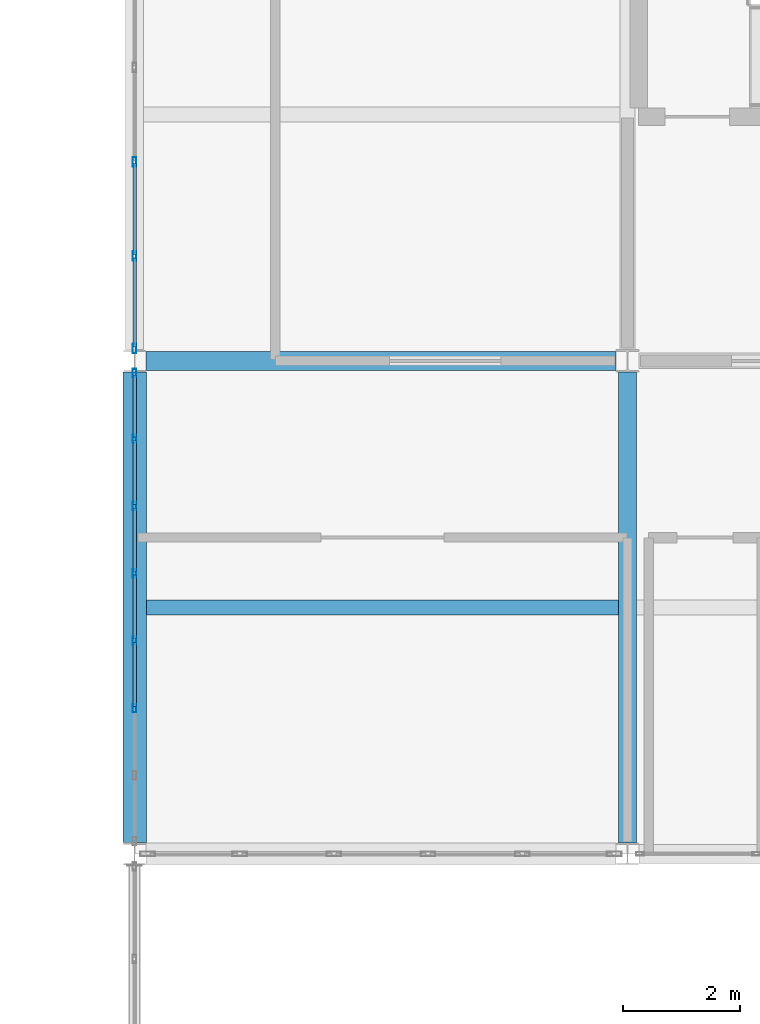
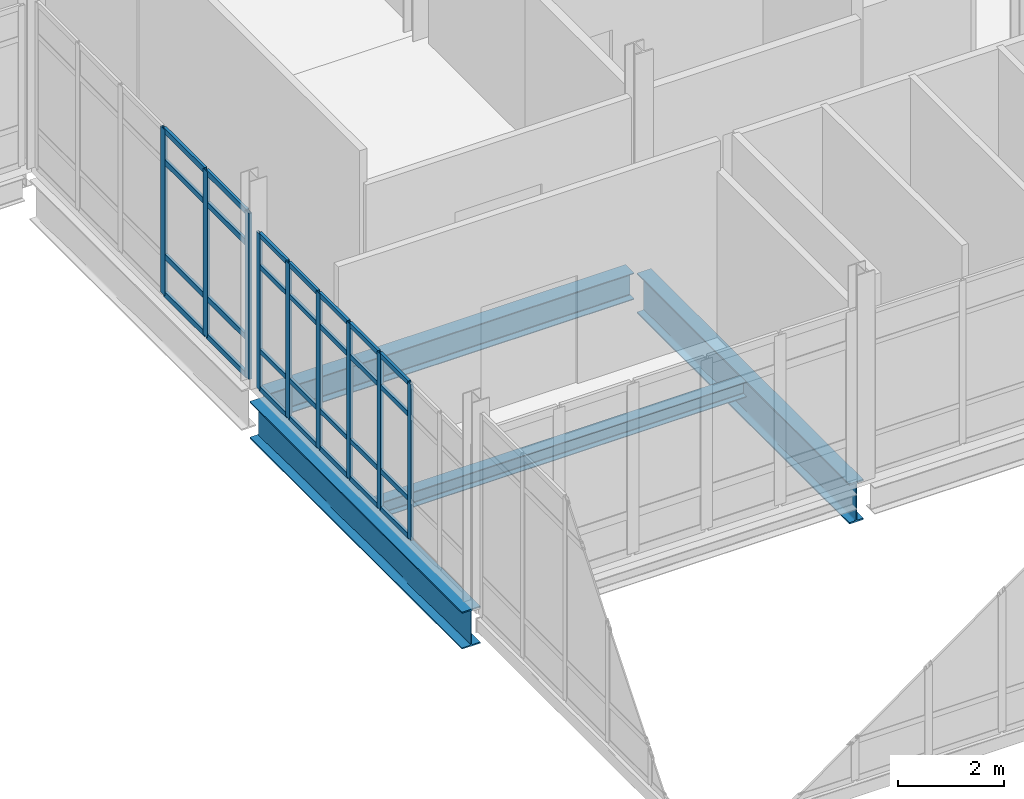
# One storey, part 30 of 186: 37 members, 4 beams, 2 elements without a shape of their own.
"""IFC4 building model written with IfcOpenShell, lengths in metres."""

from ifc_helpers import new_model, si_unit, direction, frame, origin, origin_2d, place, context, subcontext, project, spatial, hollow_rectangle, i_section, extrude, material, layer, layer_set, material_profile, profile_set, type_object, element, aggregate, save


model = new_model("IFC4")

# Units and contexts
model_context = context("Model", 3, precision=1e-05, world=origin(), true_north=direction((0.0, 1.0)))
body_context = subcontext(model_context, "Body", "Model", "MODEL_VIEW")
ifc_project = project(units=[si_unit("LENGTHUNIT", "METRE"), si_unit("AREAUNIT", "SQUARE_METRE"), si_unit("VOLUMEUNIT", "CUBIC_METRE"), si_unit("PLANEANGLEUNIT", "RADIAN"), si_unit("MASSUNIT", "GRAM", prefix="KILO")], contexts=[model_context])

# Site, building, storey
site_placement = place(None, origin())
site = spatial("IfcSite", under=ifc_project, at=site_placement, CompositionType="ELEMENT")
building_placement = place(site_placement, origin())
building = spatial("IfcBuilding", under=site, at=building_placement, Name="Calvrana Isthmian Art Gallery", CompositionType="ELEMENT")
storey_placement = place(building_placement, frame((0.0, 0.0, 5.39990234375)))
storey = spatial("IfcBuildingStorey", under=building, at=storey_placement, Name="L01", CompositionType="ELEMENT", Elevation=5.39990234375)

# Beams
ifc_material_1 = material(Name="Steel ASTM A992 Gr 50", Category="steel")
ifc_material_profile_1 = material_profile(ifc_material_1, i_section(OverallWidth=0.324951171875, OverallDepth=0.612060546875, WebThickness=0.0126953125, FlangeThickness=0.01904296875, FilletRadius=0.02197265625, at=origin_2d()), Name="W24X104")
ifc_profile_set_1 = profile_set([ifc_material_profile_1], Name="Steel ASTM A992 Gr 50")
beam_type_1 = type_object("IfcBeamType", Name="BM-G-W24X104", PredefinedType="BEAM", material=ifc_profile_set_1)
beam_1_placement = place(storey_placement, frame((21.799560546875, 38.39990234375, -0.55078125), z_axis=(1.0, 0.0, 0.0), x_axis=(0.0, 1.0, 0.0)))
element("IfcBeam", 1, at=beam_1_placement, inside=storey, type_object=beam_type_1, Name="Girder X L01 04-05/F", PredefinedType="BEAM", context=body_context, shape_type="SweptSolid", body=[
    extrude(i_section(OverallWidth=0.324951171875, OverallDepth=0.612060546875, WebThickness=0.0126953125, FlangeThickness=0.01904296875, FilletRadius=0.02197265625, at=origin_2d()), origin(), (0.0, 0.0, 1.0), 8.00244140625),
])
ifc_material_profile_2 = material_profile(ifc_material_1, i_section(OverallWidth=0.40087890625, OverallDepth=0.85595703125, WebThickness=0.018310546875, FlangeThickness=0.029296875, FilletRadius=0.02587890625, at=origin_2d()), Name="W33X201")
ifc_profile_set_2 = profile_set([ifc_material_profile_2], Name="Steel ASTM A992 Gr 50")
beam_type_2 = type_object("IfcBeamType", Name="BM-G-W33X201", PredefinedType="BEAM", material=ifc_profile_set_2)
beam_2_placement = place(storey_placement, frame((21.60009765625, 30.1904296875, -0.6728515625), z_axis=(0.0, 1.0, 0.0), x_axis=(-1.0, 0.0, 0.0)))
element("IfcBeam", 2, at=beam_2_placement, inside=storey, type_object=beam_type_2, Name="Girder Y L01 04/E-F", PredefinedType="BEAM", context=body_context, shape_type="SweptSolid", body=[
    extrude(i_section(OverallWidth=0.40087890625, OverallDepth=0.85595703125, WebThickness=0.018310546875, FlangeThickness=0.029296875, FilletRadius=0.02587890625, at=origin_2d()), origin(), (0.0, 0.0, 1.0), 8.0166015625),
])
ifc_material_profile_3 = material_profile(ifc_material_1, i_section(OverallWidth=0.306884765625, OverallDepth=0.927001953125, WebThickness=0.019287109375, FlangeThickness=0.031982421875, FilletRadius=0.028076171875, at=origin_2d()), Name="W36X194")
ifc_profile_set_3 = profile_set([ifc_material_profile_3], Name="Steel ASTM A992 Gr 50")
beam_type_3 = type_object("IfcBeamType", Name="BM-G-W36X194", PredefinedType="BEAM", material=ifc_profile_set_3)
beam_3_placement = place(storey_placement, frame((30.0, 30.18798828125, -0.70849609375), z_axis=(0.0, 1.0, 0.0), x_axis=(-1.0, 0.0, 0.0)))
element("IfcBeam", 3, at=beam_3_placement, inside=storey, type_object=beam_type_3, Name="Girder Y L01 05/E-F", PredefinedType="BEAM", context=body_context, shape_type="SweptSolid", body=[
    extrude(i_section(OverallWidth=0.306884765625, OverallDepth=0.927001953125, WebThickness=0.019287109375, FlangeThickness=0.031982421875, FilletRadius=0.028076171875, at=origin_2d()), origin(), (0.0, 0.0, 1.0), 8.021484375),
])
ifc_material_profile_4 = material_profile(ifc_material_1, i_section(OverallWidth=0.25390625, OverallDepth=0.35302734375, WebThickness=0.009521484375, FlangeThickness=0.016357421875, FilletRadius=0.01806640625, at=origin_2d()), Name="W14X61")
ifc_profile_set_4 = profile_set([ifc_material_profile_4], Name="Steel ASTM A992 Gr 50")
beam_type_4 = type_object("IfcBeamType", Name="BM-J-W14X61", PredefinedType="JOIST", material=ifc_profile_set_4)
beam_4_placement = place(storey_placement, frame((21.800537109375, 34.199951171875, -0.42138671875), z_axis=(1.0, 0.0, 0.0), x_axis=(0.0, 1.0, 0.0)))
element("IfcBeam", 4, at=beam_4_placement, inside=storey, type_object=beam_type_4, Name="Composite joist L01 bay 03-04", PredefinedType="JOIST", context=body_context, shape_type="SweptSolid", body=[
    extrude(i_section(OverallWidth=0.25390625, OverallDepth=0.35302734375, WebThickness=0.009521484375, FlangeThickness=0.016357421875, FilletRadius=0.01806640625, at=origin_2d()), origin(), (0.0, 0.0, 1.0), 8.0458984375),
])

# Curtain wall, members
ifc_material_2 = material(Name="Anodized bronze aluminium 6063-T6", Category="aluminium")
ifc_layer_1 = layer(ifc_material_2, 0.179931640625, Name="Anodized bronze aluminium 6063-T6")
ifc_layer_set_1 = layer_set([ifc_layer_1], Name="Anodized bronze aluminium 6063-T6")
curtain_wall_type_1 = type_object("IfcCurtainWallType", Name="CW-UNIT-080X36", PredefinedType="USERDEFINED", material=ifc_layer_set_1)
curtain_wall_1_placement = place(storey_placement, origin())
curtain_wall_1 = element("IfcCurtainWall", 5, at=curtain_wall_1_placement, inside=storey, type_object=curtain_wall_type_1, Name="Curtain wall CW-120", ObjectType="UNITISED CURTAIN WALL", PredefinedType="USERDEFINED")
ifc_material_profile_5 = material_profile(ifc_material_2, hollow_rectangle(XDim=0.06005859375, YDim=0.139892578125, WallThickness=0.00390625, at=origin_2d()), Name="CWM60X140")
ifc_profile_set_5 = profile_set([ifc_material_profile_5], Name="Anodized bronze aluminium 6063-T6")
member_type_1 = type_object("IfcMemberType", Name="CWM-CWM60X140", PredefinedType="MULLION", material=ifc_profile_set_5)
member_1_placement = place(storey_placement, frame((21.60009765625, 32.482421875, 0.0), z_axis=(0.0, 0.0, 1.0), x_axis=(-1.0, 0.0, 0.0)))
member_1 = element("IfcMember", 6, at=member_1_placement, type_object=member_type_1, Name="CW-120 mullion 3", PredefinedType="MULLION", context=body_context, shape_type="SweptSolid", body=[
    extrude(hollow_rectangle(XDim=0.06005859375, YDim=0.139892578125, WallThickness=0.00390625, at=origin_2d()), origin(), (0.0, 0.0, 1.0), 3.593017578125),
])
member_2_placement = place(storey_placement, frame((21.60009765625, 33.63037109375, 0.0), z_axis=(0.0, 0.0, 1.0), x_axis=(-1.0, 0.0, 0.0)))
member_2 = element("IfcMember", 7, at=member_2_placement, type_object=member_type_1, Name="CW-120 mullion 4", PredefinedType="MULLION", context=body_context, shape_type="SweptSolid", body=[
    extrude(hollow_rectangle(XDim=0.06005859375, YDim=0.139892578125, WallThickness=0.00390625, at=origin_2d()), origin(), (0.0, 0.0, 1.0), 3.593017578125),
])
member_3_placement = place(storey_placement, frame((21.60009765625, 34.7783203125, 0.0), z_axis=(0.0, 0.0, 1.0), x_axis=(-1.0, 0.0, 0.0)))
member_3 = element("IfcMember", 8, at=member_3_placement, type_object=member_type_1, Name="CW-120 mullion 5", PredefinedType="MULLION", context=body_context, shape_type="SweptSolid", body=[
    extrude(hollow_rectangle(XDim=0.06005859375, YDim=0.139892578125, WallThickness=0.00390625, at=origin_2d()), origin(), (0.0, 0.0, 1.0), 3.593017578125),
])
member_4_placement = place(storey_placement, frame((21.60009765625, 35.926025390625, 0.0), z_axis=(0.0, 0.0, 1.0), x_axis=(-1.0, 0.0, 0.0)))
member_4 = element("IfcMember", 9, at=member_4_placement, type_object=member_type_1, Name="CW-120 mullion 6", PredefinedType="MULLION", context=body_context, shape_type="SweptSolid", body=[
    extrude(hollow_rectangle(XDim=0.06005859375, YDim=0.139892578125, WallThickness=0.00390625, at=origin_2d()), origin(), (0.0, 0.0, 1.0), 3.593017578125),
])
member_5_placement = place(storey_placement, frame((21.60009765625, 37.073974609375, 0.0), z_axis=(0.0, 0.0, 1.0), x_axis=(-1.0, 0.0, 0.0)))
member_5 = element("IfcMember", 10, at=member_5_placement, type_object=member_type_1, Name="CW-120 mullion 7", PredefinedType="MULLION", context=body_context, shape_type="SweptSolid", body=[
    extrude(hollow_rectangle(XDim=0.06005859375, YDim=0.139892578125, WallThickness=0.00390625, at=origin_2d()), origin(), (0.0, 0.0, 1.0), 3.593017578125),
])
member_6_placement = place(storey_placement, frame((21.60009765625, 38.19189453125, 0.0), z_axis=(0.0, 0.0, 1.0), x_axis=(-1.0, 0.0, 0.0)))
member_6 = element("IfcMember", 11, at=member_6_placement, type_object=member_type_1, Name="CW-120 mullion 8", PredefinedType="MULLION", context=body_context, shape_type="SweptSolid", body=[
    extrude(hollow_rectangle(XDim=0.06005859375, YDim=0.139892578125, WallThickness=0.00390625, at=origin_2d()), origin(), (0.0, 0.0, 1.0), 3.593017578125),
])

ifc_layer_2 = layer(ifc_material_2, 0.179931640625, Name="Anodized bronze aluminium 6063-T6")
ifc_layer_set_2 = layer_set([ifc_layer_2], Name="Anodized bronze aluminium 6063-T6")
curtain_wall_type_2 = type_object("IfcCurtainWallType", Name="CW-UNIT-080X38", PredefinedType="USERDEFINED", material=ifc_layer_set_2)
curtain_wall_2_placement = place(storey_placement, origin())
curtain_wall_2 = element("IfcCurtainWall", 12, at=curtain_wall_2_placement, inside=storey, type_object=curtain_wall_type_2, Name="Curtain wall CW-121", ObjectType="UNITISED CURTAIN WALL", PredefinedType="USERDEFINED")
ifc_material_profile_6 = material_profile(ifc_material_2, hollow_rectangle(XDim=0.06005859375, YDim=0.159912109375, WallThickness=0.00390625, at=origin_2d()), Name="CWM60X160")
ifc_profile_set_6 = profile_set([ifc_material_profile_6], Name="Anodized bronze aluminium 6063-T6")
member_type_2 = type_object("IfcMemberType", Name="CWM-CWM60X160", PredefinedType="MULLION", material=ifc_profile_set_6)
member_7_placement = place(storey_placement, frame((21.60009765625, 38.60791015625, 0.0), z_axis=(0.0, 0.0, 1.0), x_axis=(-1.0, 0.0, 0.0)))
member_7 = element("IfcMember", 13, at=member_7_placement, type_object=member_type_2, Name="CW-121 mullion 1", PredefinedType="MULLION", context=body_context, shape_type="SweptSolid", body=[
    extrude(hollow_rectangle(XDim=0.06005859375, YDim=0.159912109375, WallThickness=0.00390625, at=origin_2d()), origin(), (0.0, 0.0, 1.0), 3.8271484375),
])
member_8_placement = place(storey_placement, frame((21.60009765625, 40.184814453125, 0.0), z_axis=(0.0, 0.0, 1.0), x_axis=(-1.0, 0.0, 0.0)))
member_8 = element("IfcMember", 14, at=member_8_placement, type_object=member_type_2, Name="CW-121 mullion 2", PredefinedType="MULLION", context=body_context, shape_type="SweptSolid", body=[
    extrude(hollow_rectangle(XDim=0.06005859375, YDim=0.159912109375, WallThickness=0.00390625, at=origin_2d()), origin(), (0.0, 0.0, 1.0), 3.8271484375),
])
member_9_placement = place(storey_placement, frame((21.60009765625, 41.79150390625, 0.0), z_axis=(0.0, 0.0, 1.0), x_axis=(-1.0, 0.0, 0.0)))
member_9 = element("IfcMember", 15, at=member_9_placement, type_object=member_type_2, Name="CW-121 mullion 3", PredefinedType="MULLION", context=body_context, shape_type="SweptSolid", body=[
    extrude(hollow_rectangle(XDim=0.06005859375, YDim=0.159912109375, WallThickness=0.00390625, at=origin_2d()), origin(), (0.0, 0.0, 1.0), 3.8271484375),
])

# Member
ifc_material_profile_7 = material_profile(ifc_material_2, hollow_rectangle(XDim=0.06005859375, YDim=0.110107421875, WallThickness=0.00341796875, at=origin_2d()), Name="CWT60X110")
ifc_profile_set_7 = profile_set([ifc_material_profile_7], Name="Anodized bronze aluminium 6063-T6")
member_type_3 = type_object("IfcMemberType", Name="CWT-CWT60X110", PredefinedType="USERDEFINED", material=ifc_profile_set_7)
member_10_placement = place(storey_placement, frame((21.60009765625, 32.512451171875, 0.030029296875), z_axis=(0.0, 1.0, 0.0), x_axis=(-1.0, 0.0, 0.0)))
member_10 = element("IfcMember", 16, at=member_10_placement, type_object=member_type_3, Name="CW-120 transom 3.1", ObjectType="TRANSOM", PredefinedType="USERDEFINED", context=body_context, shape_type="SweptSolid", body=[
    extrude(hollow_rectangle(XDim=0.06005859375, YDim=0.110107421875, WallThickness=0.00341796875, at=origin_2d()), origin(), (0.0, 0.0, 1.0), 1.087890625),
])

member_11_placement = place(storey_placement, frame((21.60009765625, 32.512451171875, 0.900146484375), z_axis=(0.0, 1.0, 0.0), x_axis=(-1.0, 0.0, 0.0)))
member_11 = element("IfcMember", 17, at=member_11_placement, type_object=member_type_3, Name="CW-120 transom 3.2", ObjectType="TRANSOM", PredefinedType="USERDEFINED", context=body_context, shape_type="SweptSolid", body=[
    extrude(hollow_rectangle(XDim=0.06005859375, YDim=0.110107421875, WallThickness=0.00341796875, at=origin_2d()), origin(), (0.0, 0.0, 1.0), 1.087890625),
])

member_12_placement = place(storey_placement, frame((21.60009765625, 32.512451171875, 2.843017578125), z_axis=(0.0, 1.0, 0.0), x_axis=(-1.0, 0.0, 0.0)))
member_12 = element("IfcMember", 18, at=member_12_placement, type_object=member_type_3, Name="CW-120 transom 3.3", ObjectType="TRANSOM", PredefinedType="USERDEFINED", context=body_context, shape_type="SweptSolid", body=[
    extrude(hollow_rectangle(XDim=0.06005859375, YDim=0.110107421875, WallThickness=0.00341796875, at=origin_2d()), origin(), (0.0, 0.0, 1.0), 1.087890625),
])

member_13_placement = place(storey_placement, frame((21.60009765625, 32.512451171875, 3.56298828125), z_axis=(0.0, 1.0, 0.0), x_axis=(-1.0, 0.0, 0.0)))
member_13 = element("IfcMember", 19, at=member_13_placement, type_object=member_type_3, Name="CW-120 transom 3.4", ObjectType="TRANSOM", PredefinedType="USERDEFINED", context=body_context, shape_type="SweptSolid", body=[
    extrude(hollow_rectangle(XDim=0.06005859375, YDim=0.110107421875, WallThickness=0.00341796875, at=origin_2d()), origin(), (0.0, 0.0, 1.0), 1.087890625),
])

member_14_placement = place(storey_placement, frame((21.60009765625, 33.660400390625, 0.030029296875), z_axis=(0.0, 1.0, 0.0), x_axis=(-1.0, 0.0, 0.0)))
member_14 = element("IfcMember", 20, at=member_14_placement, type_object=member_type_3, Name="CW-120 transom 4.1", ObjectType="TRANSOM", PredefinedType="USERDEFINED", context=body_context, shape_type="SweptSolid", body=[
    extrude(hollow_rectangle(XDim=0.06005859375, YDim=0.110107421875, WallThickness=0.00341796875, at=origin_2d()), origin(), (0.0, 0.0, 1.0), 1.087890625),
])

member_15_placement = place(storey_placement, frame((21.60009765625, 33.660400390625, 0.900146484375), z_axis=(0.0, 1.0, 0.0), x_axis=(-1.0, 0.0, 0.0)))
member_15 = element("IfcMember", 21, at=member_15_placement, type_object=member_type_3, Name="CW-120 transom 4.2", ObjectType="TRANSOM", PredefinedType="USERDEFINED", context=body_context, shape_type="SweptSolid", body=[
    extrude(hollow_rectangle(XDim=0.06005859375, YDim=0.110107421875, WallThickness=0.00341796875, at=origin_2d()), origin(), (0.0, 0.0, 1.0), 1.087890625),
])

member_16_placement = place(storey_placement, frame((21.60009765625, 33.660400390625, 2.843017578125), z_axis=(0.0, 1.0, 0.0), x_axis=(-1.0, 0.0, 0.0)))
member_16 = element("IfcMember", 22, at=member_16_placement, type_object=member_type_3, Name="CW-120 transom 4.3", ObjectType="TRANSOM", PredefinedType="USERDEFINED", context=body_context, shape_type="SweptSolid", body=[
    extrude(hollow_rectangle(XDim=0.06005859375, YDim=0.110107421875, WallThickness=0.00341796875, at=origin_2d()), origin(), (0.0, 0.0, 1.0), 1.087890625),
])

member_17_placement = place(storey_placement, frame((21.60009765625, 33.660400390625, 3.56298828125), z_axis=(0.0, 1.0, 0.0), x_axis=(-1.0, 0.0, 0.0)))
member_17 = element("IfcMember", 23, at=member_17_placement, type_object=member_type_3, Name="CW-120 transom 4.4", ObjectType="TRANSOM", PredefinedType="USERDEFINED", context=body_context, shape_type="SweptSolid", body=[
    extrude(hollow_rectangle(XDim=0.06005859375, YDim=0.110107421875, WallThickness=0.00341796875, at=origin_2d()), origin(), (0.0, 0.0, 1.0), 1.087890625),
])

member_18_placement = place(storey_placement, frame((21.60009765625, 34.80810546875, 0.030029296875), z_axis=(0.0, 1.0, 0.0), x_axis=(-1.0, 0.0, 0.0)))
member_18 = element("IfcMember", 24, at=member_18_placement, type_object=member_type_3, Name="CW-120 transom 5.1", ObjectType="TRANSOM", PredefinedType="USERDEFINED", context=body_context, shape_type="SweptSolid", body=[
    extrude(hollow_rectangle(XDim=0.06005859375, YDim=0.110107421875, WallThickness=0.00341796875, at=origin_2d()), origin(), (0.0, 0.0, 1.0), 1.088134765625),
])

member_19_placement = place(storey_placement, frame((21.60009765625, 34.80810546875, 0.900146484375), z_axis=(0.0, 1.0, 0.0), x_axis=(-1.0, 0.0, 0.0)))
member_19 = element("IfcMember", 25, at=member_19_placement, type_object=member_type_3, Name="CW-120 transom 5.2", ObjectType="TRANSOM", PredefinedType="USERDEFINED", context=body_context, shape_type="SweptSolid", body=[
    extrude(hollow_rectangle(XDim=0.06005859375, YDim=0.110107421875, WallThickness=0.00341796875, at=origin_2d()), origin(), (0.0, 0.0, 1.0), 1.088134765625),
])

member_20_placement = place(storey_placement, frame((21.60009765625, 34.80810546875, 2.843017578125), z_axis=(0.0, 1.0, 0.0), x_axis=(-1.0, 0.0, 0.0)))
member_20 = element("IfcMember", 26, at=member_20_placement, type_object=member_type_3, Name="CW-120 transom 5.3", ObjectType="TRANSOM", PredefinedType="USERDEFINED", context=body_context, shape_type="SweptSolid", body=[
    extrude(hollow_rectangle(XDim=0.06005859375, YDim=0.110107421875, WallThickness=0.00341796875, at=origin_2d()), origin(), (0.0, 0.0, 1.0), 1.088134765625),
])

member_21_placement = place(storey_placement, frame((21.60009765625, 34.80810546875, 3.56298828125), z_axis=(0.0, 1.0, 0.0), x_axis=(-1.0, 0.0, 0.0)))
member_21 = element("IfcMember", 27, at=member_21_placement, type_object=member_type_3, Name="CW-120 transom 5.4", ObjectType="TRANSOM", PredefinedType="USERDEFINED", context=body_context, shape_type="SweptSolid", body=[
    extrude(hollow_rectangle(XDim=0.06005859375, YDim=0.110107421875, WallThickness=0.00341796875, at=origin_2d()), origin(), (0.0, 0.0, 1.0), 1.088134765625),
])

member_22_placement = place(storey_placement, frame((21.60009765625, 35.9560546875, 0.030029296875), z_axis=(0.0, 1.0, 0.0), x_axis=(-1.0, 0.0, 0.0)))
member_22 = element("IfcMember", 28, at=member_22_placement, type_object=member_type_3, Name="CW-120 transom 6.1", ObjectType="TRANSOM", PredefinedType="USERDEFINED", context=body_context, shape_type="SweptSolid", body=[
    extrude(hollow_rectangle(XDim=0.06005859375, YDim=0.110107421875, WallThickness=0.00341796875, at=origin_2d()), origin(), (0.0, 0.0, 1.0), 1.088134765625),
])

member_23_placement = place(storey_placement, frame((21.60009765625, 35.9560546875, 0.900146484375), z_axis=(0.0, 1.0, 0.0), x_axis=(-1.0, 0.0, 0.0)))
member_23 = element("IfcMember", 29, at=member_23_placement, type_object=member_type_3, Name="CW-120 transom 6.2", ObjectType="TRANSOM", PredefinedType="USERDEFINED", context=body_context, shape_type="SweptSolid", body=[
    extrude(hollow_rectangle(XDim=0.06005859375, YDim=0.110107421875, WallThickness=0.00341796875, at=origin_2d()), origin(), (0.0, 0.0, 1.0), 1.088134765625),
])

member_24_placement = place(storey_placement, frame((21.60009765625, 35.9560546875, 2.843017578125), z_axis=(0.0, 1.0, 0.0), x_axis=(-1.0, 0.0, 0.0)))
member_24 = element("IfcMember", 30, at=member_24_placement, type_object=member_type_3, Name="CW-120 transom 6.3", ObjectType="TRANSOM", PredefinedType="USERDEFINED", context=body_context, shape_type="SweptSolid", body=[
    extrude(hollow_rectangle(XDim=0.06005859375, YDim=0.110107421875, WallThickness=0.00341796875, at=origin_2d()), origin(), (0.0, 0.0, 1.0), 1.088134765625),
])

member_25_placement = place(storey_placement, frame((21.60009765625, 35.9560546875, 3.56298828125), z_axis=(0.0, 1.0, 0.0), x_axis=(-1.0, 0.0, 0.0)))
member_25 = element("IfcMember", 31, at=member_25_placement, type_object=member_type_3, Name="CW-120 transom 6.4", ObjectType="TRANSOM", PredefinedType="USERDEFINED", context=body_context, shape_type="SweptSolid", body=[
    extrude(hollow_rectangle(XDim=0.06005859375, YDim=0.110107421875, WallThickness=0.00341796875, at=origin_2d()), origin(), (0.0, 0.0, 1.0), 1.088134765625),
])

member_26_placement = place(storey_placement, frame((21.60009765625, 37.10400390625, 0.030029296875), z_axis=(0.0, 1.0, 0.0), x_axis=(-1.0, 0.0, 0.0)))
member_26 = element("IfcMember", 32, at=member_26_placement, type_object=member_type_3, Name="CW-120 transom 7.1", ObjectType="TRANSOM", PredefinedType="USERDEFINED", context=body_context, shape_type="SweptSolid", body=[
    extrude(hollow_rectangle(XDim=0.06005859375, YDim=0.110107421875, WallThickness=0.00341796875, at=origin_2d()), origin(), (0.0, 0.0, 1.0), 1.05810546875),
])

member_27_placement = place(storey_placement, frame((21.60009765625, 37.10400390625, 0.900146484375), z_axis=(0.0, 1.0, 0.0), x_axis=(-1.0, 0.0, 0.0)))
member_27 = element("IfcMember", 33, at=member_27_placement, type_object=member_type_3, Name="CW-120 transom 7.2", ObjectType="TRANSOM", PredefinedType="USERDEFINED", context=body_context, shape_type="SweptSolid", body=[
    extrude(hollow_rectangle(XDim=0.06005859375, YDim=0.110107421875, WallThickness=0.00341796875, at=origin_2d()), origin(), (0.0, 0.0, 1.0), 1.05810546875),
])

member_28_placement = place(storey_placement, frame((21.60009765625, 37.10400390625, 2.843017578125), z_axis=(0.0, 1.0, 0.0), x_axis=(-1.0, 0.0, 0.0)))
member_28 = element("IfcMember", 34, at=member_28_placement, type_object=member_type_3, Name="CW-120 transom 7.3", ObjectType="TRANSOM", PredefinedType="USERDEFINED", context=body_context, shape_type="SweptSolid", body=[
    extrude(hollow_rectangle(XDim=0.06005859375, YDim=0.110107421875, WallThickness=0.00341796875, at=origin_2d()), origin(), (0.0, 0.0, 1.0), 1.05810546875),
])

member_29_placement = place(storey_placement, frame((21.60009765625, 37.10400390625, 3.56298828125), z_axis=(0.0, 1.0, 0.0), x_axis=(-1.0, 0.0, 0.0)))
member_29 = element("IfcMember", 35, at=member_29_placement, type_object=member_type_3, Name="CW-120 transom 7.4", ObjectType="TRANSOM", PredefinedType="USERDEFINED", context=body_context, shape_type="SweptSolid", body=[
    extrude(hollow_rectangle(XDim=0.06005859375, YDim=0.110107421875, WallThickness=0.00341796875, at=origin_2d()), origin(), (0.0, 0.0, 1.0), 1.05810546875),
])

aggregate(curtain_wall_1, [member_1, member_2, member_3, member_4, member_5, member_6, member_10, member_11, member_12, member_13, member_14, member_15, member_16, member_17, member_18, member_19, member_20, member_21, member_22, member_23, member_24, member_25, member_26, member_27, member_28, member_29])

ifc_material_profile_8 = material_profile(ifc_material_2, hollow_rectangle(XDim=0.06005859375, YDim=0.1298828125, WallThickness=0.00390625, at=origin_2d()), Name="CWT60X130")
ifc_profile_set_8 = profile_set([ifc_material_profile_8], Name="Anodized bronze aluminium 6063-T6")
member_type_4 = type_object("IfcMemberType", Name="CWT-CWT60X130", PredefinedType="USERDEFINED", material=ifc_profile_set_8)
member_30_placement = place(storey_placement, frame((21.60009765625, 38.637939453125, 0.030029296875), z_axis=(0.0, 1.0, 0.0), x_axis=(-1.0, 0.0, 0.0)))
member_30 = element("IfcMember", 36, at=member_30_placement, type_object=member_type_4, Name="CW-121 transom 1.1", ObjectType="TRANSOM", PredefinedType="USERDEFINED", context=body_context, shape_type="SweptSolid", body=[
    extrude(hollow_rectangle(XDim=0.06005859375, YDim=0.1298828125, WallThickness=0.00390625, at=origin_2d()), origin(), (0.0, 0.0, 1.0), 1.516845703125),
])

member_31_placement = place(storey_placement, frame((21.60009765625, 38.637939453125, 0.900146484375), z_axis=(0.0, 1.0, 0.0), x_axis=(-1.0, 0.0, 0.0)))
member_31 = element("IfcMember", 37, at=member_31_placement, type_object=member_type_4, Name="CW-121 transom 1.2", ObjectType="TRANSOM", PredefinedType="USERDEFINED", context=body_context, shape_type="SweptSolid", body=[
    extrude(hollow_rectangle(XDim=0.06005859375, YDim=0.1298828125, WallThickness=0.00390625, at=origin_2d()), origin(), (0.0, 0.0, 1.0), 1.516845703125),
])

member_32_placement = place(storey_placement, frame((21.60009765625, 38.637939453125, 3.0771484375), z_axis=(0.0, 1.0, 0.0), x_axis=(-1.0, 0.0, 0.0)))
member_32 = element("IfcMember", 38, at=member_32_placement, type_object=member_type_4, Name="CW-121 transom 1.3", ObjectType="TRANSOM", PredefinedType="USERDEFINED", context=body_context, shape_type="SweptSolid", body=[
    extrude(hollow_rectangle(XDim=0.06005859375, YDim=0.1298828125, WallThickness=0.00390625, at=origin_2d()), origin(), (0.0, 0.0, 1.0), 1.516845703125),
])

member_33_placement = place(storey_placement, frame((21.60009765625, 38.637939453125, 3.797119140625), z_axis=(0.0, 1.0, 0.0), x_axis=(-1.0, 0.0, 0.0)))
member_33 = element("IfcMember", 39, at=member_33_placement, type_object=member_type_4, Name="CW-121 transom 1.4", ObjectType="TRANSOM", PredefinedType="USERDEFINED", context=body_context, shape_type="SweptSolid", body=[
    extrude(hollow_rectangle(XDim=0.06005859375, YDim=0.1298828125, WallThickness=0.00390625, at=origin_2d()), origin(), (0.0, 0.0, 1.0), 1.516845703125),
])

member_34_placement = place(storey_placement, frame((21.60009765625, 40.21484375, 0.030029296875), z_axis=(0.0, 1.0, 0.0), x_axis=(-1.0, 0.0, 0.0)))
member_34 = element("IfcMember", 40, at=member_34_placement, type_object=member_type_4, Name="CW-121 transom 2.1", ObjectType="TRANSOM", PredefinedType="USERDEFINED", context=body_context, shape_type="SweptSolid", body=[
    extrude(hollow_rectangle(XDim=0.06005859375, YDim=0.1298828125, WallThickness=0.00390625, at=origin_2d()), origin(), (0.0, 0.0, 1.0), 1.546875),
])

member_35_placement = place(storey_placement, frame((21.60009765625, 40.21484375, 0.900146484375), z_axis=(0.0, 1.0, 0.0), x_axis=(-1.0, 0.0, 0.0)))
member_35 = element("IfcMember", 41, at=member_35_placement, type_object=member_type_4, Name="CW-121 transom 2.2", ObjectType="TRANSOM", PredefinedType="USERDEFINED", context=body_context, shape_type="SweptSolid", body=[
    extrude(hollow_rectangle(XDim=0.06005859375, YDim=0.1298828125, WallThickness=0.00390625, at=origin_2d()), origin(), (0.0, 0.0, 1.0), 1.546875),
])

member_36_placement = place(storey_placement, frame((21.60009765625, 40.21484375, 3.0771484375), z_axis=(0.0, 1.0, 0.0), x_axis=(-1.0, 0.0, 0.0)))
member_36 = element("IfcMember", 42, at=member_36_placement, type_object=member_type_4, Name="CW-121 transom 2.3", ObjectType="TRANSOM", PredefinedType="USERDEFINED", context=body_context, shape_type="SweptSolid", body=[
    extrude(hollow_rectangle(XDim=0.06005859375, YDim=0.1298828125, WallThickness=0.00390625, at=origin_2d()), origin(), (0.0, 0.0, 1.0), 1.546875),
])

member_37_placement = place(storey_placement, frame((21.60009765625, 40.21484375, 3.797119140625), z_axis=(0.0, 1.0, 0.0), x_axis=(-1.0, 0.0, 0.0)))
member_37 = element("IfcMember", 43, at=member_37_placement, type_object=member_type_4, Name="CW-121 transom 2.4", ObjectType="TRANSOM", PredefinedType="USERDEFINED", context=body_context, shape_type="SweptSolid", body=[
    extrude(hollow_rectangle(XDim=0.06005859375, YDim=0.1298828125, WallThickness=0.00390625, at=origin_2d()), origin(), (0.0, 0.0, 1.0), 1.546875),
])

aggregate(curtain_wall_2, [member_7, member_8, member_9, member_30, member_31, member_32, member_33, member_34, member_35, member_36, member_37])

save(model, "model.ifc")
